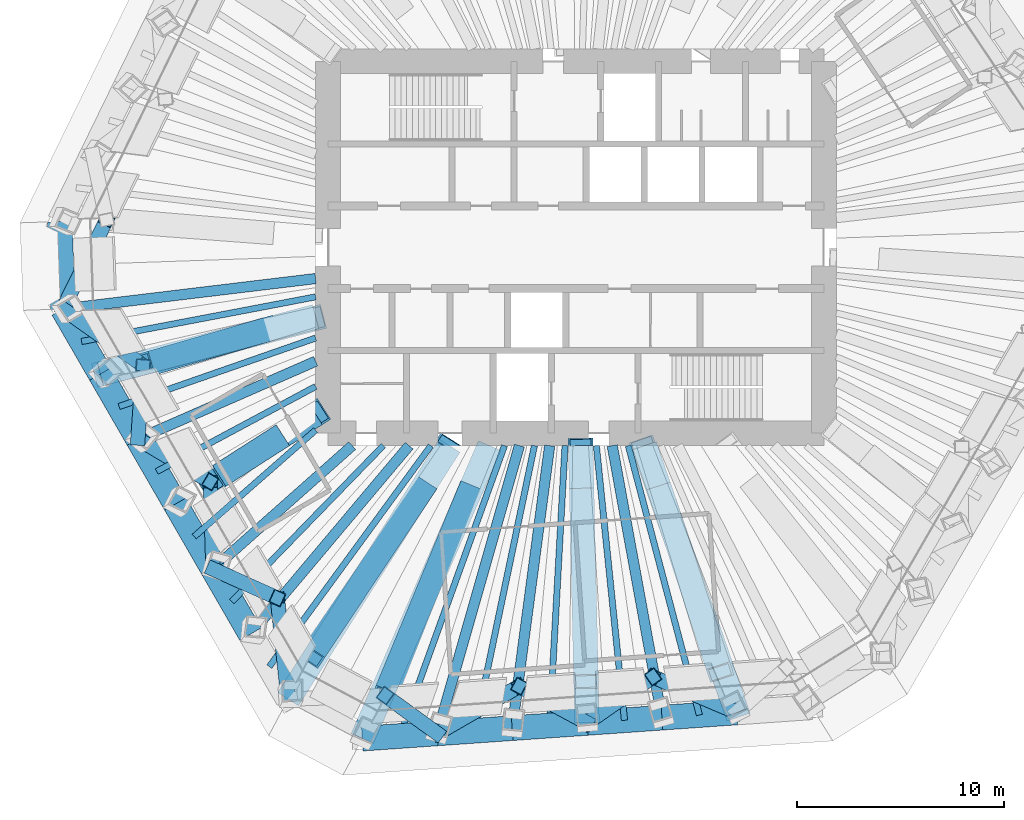
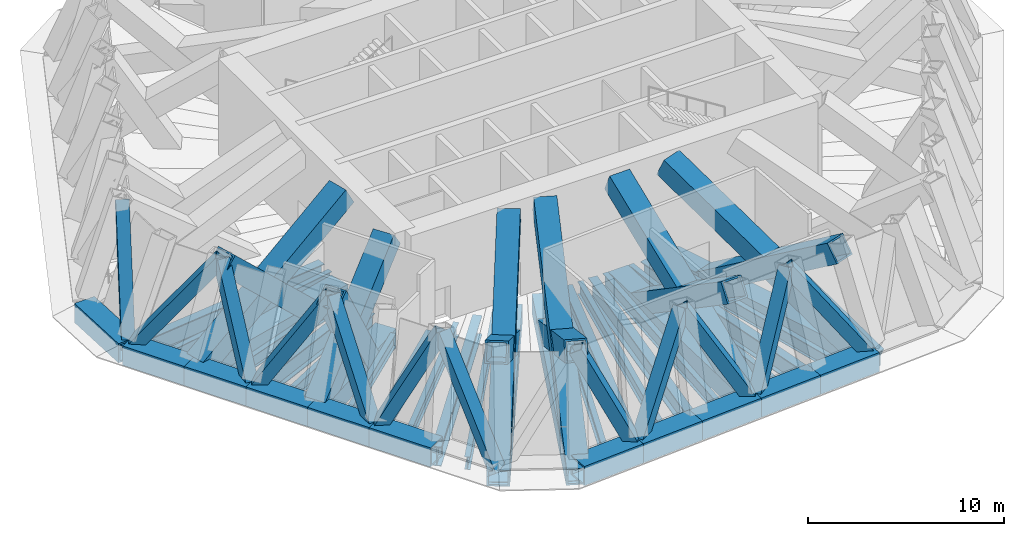
# One storey, part 2 of 12: 35 members, 24 beams.
"""IFC4 building model written with IfcOpenShell, lengths in metres."""

from ifc_helpers import new_model, si_unit, direction, frame, origin, origin_2d, place, context, subcontext, project, spatial, hollow_rectangle, i_section, extrude, material, material_profile, profile_set, type_object, element, save


model = new_model("IFC4")

# Units and contexts
model_context = context("Model", 3, precision=1e-05, world=origin(), true_north=direction((0.0, 1.0)))
body_context = subcontext(model_context, "Body", "Model", "MODEL_VIEW")
ifc_project = project(units=[si_unit("LENGTHUNIT", "METRE"), si_unit("AREAUNIT", "SQUARE_METRE"), si_unit("VOLUMEUNIT", "CUBIC_METRE"), si_unit("PLANEANGLEUNIT", "RADIAN"), si_unit("MASSUNIT", "GRAM", prefix="KILO")], contexts=[model_context])

# Site, building, storey
site_placement = place(None, origin())
site = spatial("IfcSite", under=ifc_project, at=site_placement, CompositionType="ELEMENT")
building_placement = place(site_placement, origin())
building = spatial("IfcBuilding", under=site, at=building_placement, Name="Qingtian Harvest Tower", CompositionType="ELEMENT")
storey_placement = place(building_placement, frame((0.0, 0.0, 256.0)))
storey = spatial("IfcBuildingStorey", under=building, at=storey_placement, Name="L56", CompositionType="ELEMENT", Elevation=256.0)

# Members
ifc_material_1 = material(Name="Steel SM570MC", Category="steel")
ifc_material_profile_1 = material_profile(ifc_material_1, hollow_rectangle(XDim=1.199951171875, YDim=1.199951171875, WallThickness=0.10009765625, at=origin_2d()), Name="BOX1200x1200x100")
ifc_profile_set_1 = profile_set([ifc_material_profile_1], Name="Steel SM570MC")
member_type_1 = type_object("IfcMemberType", Name="Belt truss chord BC3 BOX1200x1200x100", PredefinedType="CHORD", material=ifc_profile_set_1)
for number, where, z_axis, x_axis, name in (
    (1, (7.78515625, -22.51171875, -0.60009765625), (-0.997565001055, -0.069742875402, 0.0), (0.069742875402, -0.997565001055, 0.0), "Belt chord BC3 S1"),
    (2, (4.160400390625, -22.76513671875, -0.60009765625), (-0.997560324246, -0.069809737785, 0.0), (0.069809737785, -0.997560324246, 0.0), "Belt chord BC3 S2"),
    (3, (0.53564453125, -23.018798828125, -0.60009765625), (-0.997565001055, -0.069742875402, 0.0), (0.069742875402, -0.997565001055, 0.0), "Belt chord BC3 S3"),
):
    element("IfcMember", number, at=place(storey_placement, frame(where, z_axis=z_axis, x_axis=x_axis)), inside=storey, type_object=member_type_1, Name=name, PredefinedType="CHORD", context=body_context, shape_type="SweptSolid", body=[
        extrude(hollow_rectangle(XDim=1.199951171875, YDim=1.199951171875, WallThickness=0.10009765625, at=origin_2d()), origin(), (0.0, 0.0, 1.0), 3.633544921875),
    ])
member_1_placement = place(storey_placement, frame((-3.089111328125, -23.272216796875, -0.60009765625), z_axis=(-0.997564674207, -0.069747550305, 0.0), x_axis=(0.069747550305, -0.997564674207, 0.0)))
element("IfcMember", 4, at=member_1_placement, inside=storey, type_object=member_type_1, Name="Belt chord BC3 S4", PredefinedType="CHORD", context=body_context, shape_type="SweptSolid", body=[
    extrude(hollow_rectangle(XDim=1.199951171875, YDim=1.199951171875, WallThickness=0.10009765625, at=origin_2d()), origin(), (0.0, 0.0, 1.0), 3.63330078125),
])
for number, where, z_axis, x_axis, name in (
    (5, (-6.713623046875, -23.525634765625, -0.60009765625), (-0.997565001055, -0.069742875402, 0.0), (0.069742875402, -0.997565001055, 0.0), "Belt chord BC3 S5"),
    (6, (-15.749267578125, -18.72119140625, -0.60009765625), (-0.500026827678, 0.866009914263, 0.0), (-0.866009914263, -0.500026827678, 0.0), "Belt chord BC3 SW1"),
    (7, (-17.566162109375, -15.574462890625, -0.60009765625), (-0.499976434558, 0.866039008871, 0.0), (-0.866039008871, -0.499976434558, 0.0), "Belt chord BC3 SW2"),
    (8, (-19.3828125, -12.427734375, -0.60009765625), (-0.500026827678, 0.866009914263, 0.0), (-0.866009914263, -0.500026827678, 0.0), "Belt chord BC3 SW3"),
    (9, (-21.19970703125, -9.281005859375, -0.60009765625), (-0.499976434558, 0.866039008871, 0.0), (-0.866039008871, -0.499976434558, 0.0), "Belt chord BC3 SW4"),
    (10, (-23.016357421875, -6.13427734375, -0.60009765625), (-0.500026827678, 0.866009914263, 0.0), (-0.866009914263, -0.500026827678, 0.0), "Belt chord BC3 SW5"),
):
    element("IfcMember", number, at=place(storey_placement, frame(where, z_axis=z_axis, x_axis=x_axis)), inside=storey, type_object=member_type_1, Name=name, PredefinedType="CHORD", context=body_context, shape_type="SweptSolid", body=[
        extrude(hollow_rectangle(XDim=1.199951171875, YDim=1.199951171875, WallThickness=0.10009765625, at=origin_2d()), origin(), (0.0, 0.0, 1.0), 3.633544921875),
    ])
member_2_placement = place(storey_placement, frame((-24.833251953125, -2.987548828125, -0.60009765625), z_axis=(-0.034908677553, 0.999390506375, 0.0), x_axis=(-0.999390506375, -0.034908677553, 0.0)))
element("IfcMember", 11, at=member_2_placement, inside=storey, type_object=member_type_1, Name="Belt chord BC3 SWC", PredefinedType="CHORD", context=body_context, shape_type="SweptSolid", body=[
    extrude(hollow_rectangle(XDim=1.199951171875, YDim=1.199951171875, WallThickness=0.10009765625, at=origin_2d()), origin(), (0.0, 0.0, 1.0), 4.23828125),
])
ifc_material_2 = material(Name="Steel SM570MC", Category="steel")
ifc_material_profile_2 = material_profile(ifc_material_2, hollow_rectangle(XDim=0.699951171875, YDim=0.699951171875, WallThickness=0.0400390625, at=origin_2d()), Name="BOX700x700x40")
ifc_profile_set_2 = profile_set([ifc_material_profile_2], Name="Steel SM570MC")
member_type_2 = type_object("IfcMemberType", Name="Belt truss diagonal BD3 BOX700x700x40", PredefinedType="BRACE", material=ifc_profile_set_2)
member_3_placement = place(storey_placement, frame((7.78515625, -22.51171875, -0.60009765625), z_axis=(-0.544857222161, 0.231219130574, 0.806020050071), x_axis=(-0.390646608889, -0.920540725315, 0.0)))
element("IfcMember", 12, at=member_3_placement, inside=storey, type_object=member_type_2, Name="Belt truss diagonal BD3 L56 S1", PredefinedType="BRACE", context=body_context, shape_type="SweptSolid", body=[
    extrude(hollow_rectangle(XDim=0.699951171875, YDim=0.699951171875, WallThickness=0.0400390625, at=origin_2d()), origin(), (0.0, 0.0, 1.0), 7.444091796875),
])
member_4_placement = place(storey_placement, frame((3.729248046875, -20.79052734375, 5.39990234375), z_axis=(-0.446475354846, -0.31151904011, -0.838818004793), x_axis=(0.572211996382, -0.820105743911, 0.0)))
element("IfcMember", 13, at=member_4_placement, inside=storey, type_object=member_type_2, Name="Belt truss diagonal BD3 L56 S2", PredefinedType="BRACE", context=body_context, shape_type="SweptSolid", body=[
    extrude(hollow_rectangle(XDim=0.699951171875, YDim=0.699951171875, WallThickness=0.0400390625, at=origin_2d()), origin(), (0.0, 0.0, 1.0), 7.15283203125),
])
member_5_placement = place(storey_placement, frame((0.53564453125, -23.018798828125, -0.60009765625), z_axis=(-0.465016913661, 0.251161638629, 0.848927029426), x_axis=(-0.475225829761, -0.879863859201, 0.0)))
element("IfcMember", 14, at=member_5_placement, inside=storey, type_object=member_type_2, Name="Belt truss diagonal BD3 L56 S3", PredefinedType="BRACE", context=body_context, shape_type="SweptSolid", body=[
    extrude(hollow_rectangle(XDim=0.699951171875, YDim=0.699951171875, WallThickness=0.0400390625, at=origin_2d()), origin(), (0.0, 0.0, 1.0), 7.067626953125),
])
member_6_placement = place(storey_placement, frame((-2.7509765625, -21.24365234375, 5.39990234375), z_axis=(-0.525280157082, -0.302494832619, -0.795347491864), x_axis=(0.499039778633, -0.866579078528, 0.0)))
element("IfcMember", 15, at=member_6_placement, inside=storey, type_object=member_type_2, Name="Belt truss diagonal BD3 L56 S4", PredefinedType="BRACE", context=body_context, shape_type="SweptSolid", body=[
    extrude(hollow_rectangle(XDim=0.699951171875, YDim=0.699951171875, WallThickness=0.0400390625, at=origin_2d()), origin(), (0.0, 0.0, 1.0), 7.5439453125),
])
member_7_placement = place(storey_placement, frame((-6.713623046875, -23.525634765625, -0.60009765625), z_axis=(-0.372482636672, 0.270584506528, 0.887716570874), x_axis=(-0.587728428026, -0.809058276572, 0.0)))
element("IfcMember", 16, at=member_7_placement, inside=storey, type_object=member_type_2, Name="Belt truss diagonal BD3 L56 S5", PredefinedType="BRACE", context=body_context, shape_type="SweptSolid", body=[
    extrude(hollow_rectangle(XDim=0.699951171875, YDim=0.699951171875, WallThickness=0.0400390625, at=origin_2d()), origin(), (0.0, 0.0, 1.0), 6.759033203125),
])
member_8_placement = place(storey_placement, frame((-13.9326171875, -21.8681640625, -0.60009765625), z_axis=(-0.066596564414, 0.630764153551, 0.773111557412), x_axis=(-0.994472520265, -0.104997173478, 0.0)))
element("IfcMember", 17, at=member_8_placement, inside=storey, type_object=member_type_2, Name="Belt truss diagonal BD3 L56 SW0", PredefinedType="BRACE", context=body_context, shape_type="SweptSolid", body=[
    extrude(hollow_rectangle(XDim=0.699951171875, YDim=0.699951171875, WallThickness=0.0400390625, at=origin_2d()), origin(), (0.0, 0.0, 1.0), 7.7607421875),
])
member_9_placement = place(storey_placement, frame((-14.449462890625, -16.972900390625, 5.39990234375), z_axis=(-0.451413829982, 0.202545700935, -0.869022895632), x_axis=(-0.409371897957, -0.912367606375, 0.0)))
element("IfcMember", 18, at=member_9_placement, inside=storey, type_object=member_type_2, Name="Belt truss diagonal BD3 L56 SW1", PredefinedType="BRACE", context=body_context, shape_type="SweptSolid", body=[
    extrude(hollow_rectangle(XDim=0.699951171875, YDim=0.699951171875, WallThickness=0.0400390625, at=origin_2d()), origin(), (0.0, 0.0, 1.0), 6.904296875),
])
member_10_placement = place(storey_placement, frame((-17.566162109375, -15.574462890625, -0.60009765625), z_axis=(-0.017892837518, 0.575863348753, 0.817350139125), x_axis=(-0.999517635605, -0.031056337739, 0.0)))
element("IfcMember", 19, at=member_10_placement, inside=storey, type_object=member_type_2, Name="Belt truss diagonal BD3 L56 SW2", PredefinedType="BRACE", context=body_context, shape_type="SweptSolid", body=[
    extrude(hollow_rectangle(XDim=0.699951171875, YDim=0.699951171875, WallThickness=0.0400390625, at=origin_2d()), origin(), (0.0, 0.0, 1.0), 7.3408203125),
])
member_11_placement = place(storey_placement, frame((-17.697509765625, -11.34716796875, 5.39990234375), z_axis=(-0.483190813283, 0.285064053874, -0.827807419118), x_axis=(-0.508124366275, -0.861283709585, 0.0)))
element("IfcMember", 20, at=member_11_placement, inside=storey, type_object=member_type_2, Name="Belt truss diagonal BD3 L56 SW3", PredefinedType="BRACE", context=body_context, shape_type="SweptSolid", body=[
    extrude(hollow_rectangle(XDim=0.699951171875, YDim=0.699951171875, WallThickness=0.0400390625, at=origin_2d()), origin(), (0.0, 0.0, 1.0), 7.248046875),
])
member_12_placement = place(storey_placement, frame((-21.19970703125, -9.281005859375, -0.60009765625), z_axis=(0.036405726551, 0.50989000299, 0.859468910389), x_axis=(-0.997460783047, 0.071217878954, 0.0)))
element("IfcMember", 21, at=member_12_placement, inside=storey, type_object=member_type_2, Name="Belt truss diagonal BD3 L56 SW4", PredefinedType="BRACE", context=body_context, shape_type="SweptSolid", body=[
    extrude(hollow_rectangle(XDim=0.699951171875, YDim=0.699951171875, WallThickness=0.0400390625, at=origin_2d()), origin(), (0.0, 0.0, 1.0), 6.98095703125),
])
member_13_placement = place(storey_placement, frame((-20.945556640625, -5.721435546875, 5.39990234375), z_axis=(-0.507909961046, 0.357170041685, -0.783873097378), x_axis=(-0.57522616421, -0.817994413189, 0.0)))
element("IfcMember", 22, at=member_13_placement, inside=storey, type_object=member_type_2, Name="Belt truss diagonal BD3 L56 SW5", PredefinedType="BRACE", context=body_context, shape_type="SweptSolid", body=[
    extrude(hollow_rectangle(XDim=0.699951171875, YDim=0.699951171875, WallThickness=0.0400390625, at=origin_2d()), origin(), (0.0, 0.0, 1.0), 7.654296875),
])
member_14_placement = place(storey_placement, frame((-24.833251953125, -2.987548828125, -0.60009765625), z_axis=(0.275256396047, 0.561279137804, 0.780512425206), x_axis=(-0.897845118846, 0.440311415438, 0.0)))
element("IfcMember", 23, at=member_14_placement, inside=storey, type_object=member_type_2, Name="Belt truss diagonal BD3 L56 SW6", PredefinedType="BRACE", context=body_context, shape_type="SweptSolid", body=[
    extrude(hollow_rectangle(XDim=0.699951171875, YDim=0.699951171875, WallThickness=0.0400390625, at=origin_2d()), origin(), (0.0, 0.0, 1.0), 7.687255859375),
])

# Beams
ifc_material_3 = material(Name="Steel SN490B", Category="steel")
ifc_material_profile_3 = material_profile(ifc_material_3, i_section(OverallWidth=0.300048828125, OverallDepth=0.800048828125, WebThickness=0.013916015625, FlangeThickness=0.02587890625, at=origin_2d()), Name="H800x300x14x26")
ifc_profile_set_3 = profile_set([ifc_material_profile_3], Name="Steel SN490B")
beam_type_1 = type_object("IfcBeamType", Name="Floor joist J1 H800x300x14x26", PredefinedType="JOIST", material=ifc_profile_set_3)
beam_1_placement = place(storey_placement, frame((5.97265625, -22.638427734375, -0.679931640625), z_axis=(-0.255103716232, 0.9669136952, 0.0), x_axis=(-0.9669136952, -0.255103716232, 0.0)))
element("IfcBeam", 24, at=beam_1_placement, inside=storey, type_object=beam_type_1, Name="Floor joist J1 S1", PredefinedType="JOIST", context=body_context, shape_type="SweptSolid", body=[
    extrude(i_section(OverallWidth=0.300048828125, OverallDepth=0.800048828125, WebThickness=0.013916015625, FlangeThickness=0.02587890625, at=origin_2d()), origin(), (0.0, 0.0, 1.0), 13.484375),
])
beam_2_placement = place(storey_placement, frame((2.347900390625, -22.89208984375, -0.679931640625), z_axis=(-0.102028865499, 0.994781438611, 0.0), x_axis=(-0.994781438611, -0.102028865499, 0.0)))
element("IfcBeam", 25, at=beam_2_placement, inside=storey, type_object=beam_type_1, Name="Floor joist J1 S2", PredefinedType="JOIST", context=body_context, shape_type="SweptSolid", body=[
    extrude(i_section(OverallWidth=0.300048828125, OverallDepth=0.800048828125, WebThickness=0.013916015625, FlangeThickness=0.02587890625, at=origin_2d()), origin(), (0.0, 0.0, 1.0), 13.36181640625),
])
beam_3_placement = place(storey_placement, frame((-1.276611328125, -23.1455078125, -0.679931640625), z_axis=(0.055069329716, 0.998482533109, 0.0), x_axis=(-0.998482533109, 0.055069329716, 0.0)))
element("IfcBeam", 26, at=beam_3_placement, inside=storey, type_object=beam_type_1, Name="Floor joist J1 S3", PredefinedType="JOIST", context=body_context, shape_type="SweptSolid", body=[
    extrude(i_section(OverallWidth=0.300048828125, OverallDepth=0.800048828125, WebThickness=0.013916015625, FlangeThickness=0.02587890625, at=origin_2d()), origin(), (0.0, 0.0, 1.0), 13.56591796875),
])
beam_4_placement = place(storey_placement, frame((-4.9013671875, -23.39892578125, -0.679931640625), z_axis=(0.205016322093, 0.978758554331, 0.0), x_axis=(-0.978758554331, 0.205016322093, 0.0)))
element("IfcBeam", 27, at=beam_4_placement, inside=storey, type_object=beam_type_1, Name="Floor joist J1 S4", PredefinedType="JOIST", context=body_context, shape_type="SweptSolid", body=[
    extrude(i_section(OverallWidth=0.300048828125, OverallDepth=0.800048828125, WebThickness=0.013916015625, FlangeThickness=0.02587890625, at=origin_2d()), origin(), (0.0, 0.0, 1.0), 14.098388671875),
])
beam_5_placement = place(storey_placement, frame((-8.526123046875, -23.65234375, -0.679931640625), z_axis=(0.339126305921, 0.940740850943, 0.0), x_axis=(-0.940740850943, 0.339126305921, 0.0)))
element("IfcBeam", 28, at=beam_5_placement, inside=storey, type_object=beam_type_1, Name="Floor joist J1 S5", PredefinedType="JOIST", context=body_context, shape_type="SweptSolid", body=[
    extrude(i_section(OverallWidth=0.300048828125, OverallDepth=0.800048828125, WebThickness=0.013916015625, FlangeThickness=0.02587890625, at=origin_2d()), origin(), (0.0, 0.0, 1.0), 14.9375),
])
beam_6_placement = place(storey_placement, frame((-14.841064453125, -20.294677734375, -0.679931640625), z_axis=(0.590288677526, 0.807192218238, 0.0), x_axis=(-0.807192218238, 0.590288677526, 0.0)))
element("IfcBeam", 29, at=beam_6_placement, inside=storey, type_object=beam_type_1, Name="Floor joist J1 SW0", PredefinedType="JOIST", context=body_context, shape_type="SweptSolid", body=[
    extrude(i_section(OverallWidth=0.300048828125, OverallDepth=0.800048828125, WebThickness=0.013916015625, FlangeThickness=0.02587890625, at=origin_2d()), origin(), (0.0, 0.0, 1.0), 13.2490234375),
])
beam_7_placement = place(storey_placement, frame((-16.65771484375, -17.14794921875, -0.679931640625), z_axis=(0.696777499009, 0.717287332158, 0.0), x_axis=(-0.717287332158, 0.696777499009, 0.0)))
element("IfcBeam", 30, at=beam_7_placement, inside=storey, type_object=beam_type_1, Name="Floor joist J1 SW1", PredefinedType="JOIST", context=body_context, shape_type="SweptSolid", body=[
    extrude(i_section(OverallWidth=0.300048828125, OverallDepth=0.800048828125, WebThickness=0.013916015625, FlangeThickness=0.02587890625, at=origin_2d()), origin(), (0.0, 0.0, 1.0), 10.522705078125),
])
beam_8_placement = place(storey_placement, frame((-18.474609375, -14.001220703125, -0.679931640625), z_axis=(0.751883296969, 0.659296221542, 0.0), x_axis=(-0.659296221542, 0.751883296969, 0.0)))
element("IfcBeam", 31, at=beam_8_placement, inside=storey, type_object=beam_type_1, Name="Floor joist J1 SW2", PredefinedType="JOIST", context=body_context, shape_type="SweptSolid", body=[
    extrude(i_section(OverallWidth=0.300048828125, OverallDepth=0.800048828125, WebThickness=0.013916015625, FlangeThickness=0.02587890625, at=origin_2d()), origin(), (0.0, 0.0, 1.0), 7.81298828125),
])
beam_9_placement = place(storey_placement, frame((-20.291259765625, -10.8544921875, -0.679931640625), z_axis=(0.881766503154, 0.471686160402, 0.0), x_axis=(-0.471686160402, 0.881766503154, 0.0)))
element("IfcBeam", 32, at=beam_9_placement, inside=storey, type_object=beam_type_1, Name="Floor joist J1 SW3", PredefinedType="JOIST", context=body_context, shape_type="SweptSolid", body=[
    extrude(i_section(OverallWidth=0.300048828125, OverallDepth=0.800048828125, WebThickness=0.013916015625, FlangeThickness=0.02587890625, at=origin_2d()), origin(), (0.0, 0.0, 1.0), 8.722412109375),
])
beam_10_placement = place(storey_placement, frame((-22.108154296875, -7.707763671875, -0.679931640625), z_axis=(0.944256456951, 0.329210788868, 0.0), x_axis=(-0.329210788868, 0.944256456951, 0.0)))
element("IfcBeam", 33, at=beam_10_placement, inside=storey, type_object=beam_type_1, Name="Floor joist J1 SW4", PredefinedType="JOIST", context=body_context, shape_type="SweptSolid", body=[
    extrude(i_section(OverallWidth=0.300048828125, OverallDepth=0.800048828125, WebThickness=0.013916015625, FlangeThickness=0.02587890625, at=origin_2d()), origin(), (0.0, 0.0, 1.0), 10.0693359375),
])
beam_11_placement = place(storey_placement, frame((-23.9248046875, -4.56103515625, -0.679931640625), z_axis=(0.982309082743, 0.187266830912, 0.0), x_axis=(-0.187266830912, 0.982309082743, 0.0)))
element("IfcBeam", 34, at=beam_11_placement, inside=storey, type_object=beam_type_1, Name="Floor joist J1 SW5", PredefinedType="JOIST", context=body_context, shape_type="SweptSolid", body=[
    extrude(i_section(OverallWidth=0.300048828125, OverallDepth=0.800048828125, WebThickness=0.013916015625, FlangeThickness=0.02587890625, at=origin_2d()), origin(), (0.0, 0.0, 1.0), 11.528564453125),
])
ifc_material_4 = material(Name="Steel SM570MC", Category="steel")
ifc_material_profile_4 = material_profile(ifc_material_4, hollow_rectangle(XDim=1.199951171875, YDim=1.199951171875, WallThickness=0.10009765625, at=origin_2d()), Name="BOX1200x1200x100")
ifc_profile_set_4 = profile_set([ifc_material_profile_4], Name="Steel SM570MC")
beam_type_2 = type_object("IfcBeamType", Name="Outrigger chord beam OC2 BOX1200x1200x100", PredefinedType="BEAM", material=ifc_profile_set_4)
beam_12_placement = place(storey_placement, frame((7.78515625, -22.51171875, -0.8798828125), z_axis=(-0.326844175409, 0.945078242793, 0.0), x_axis=(-0.945078242793, -0.326844175409, 0.0)))
element("IfcBeam", 35, at=beam_12_placement, inside=storey, type_object=beam_type_2, Name="Floor beam OC2 S1", PredefinedType="BEAM", context=body_context, shape_type="SweptSolid", body=[
    extrude(hollow_rectangle(XDim=1.199951171875, YDim=1.199951171875, WallThickness=0.10009765625, at=origin_2d()), origin(), (0.0, 0.0, 1.0), 13.661865234375),
])
beam_13_placement = place(storey_placement, frame((0.53564453125, -23.018798828125, -0.8798828125), z_axis=(-0.023263902078, 0.999729358807, 0.0), x_axis=(-0.999729358807, -0.023263902078, 0.0)))
element("IfcBeam", 36, at=beam_13_placement, inside=storey, type_object=beam_type_2, Name="Floor beam OC2 S3", PredefinedType="BEAM", context=body_context, shape_type="SweptSolid", body=[
    extrude(hollow_rectangle(XDim=1.199951171875, YDim=1.199951171875, WallThickness=0.10009765625, at=origin_2d()), origin(), (0.0, 0.0, 1.0), 13.42236328125),
])
beam_14_placement = place(storey_placement, frame((-10.33837890625, -23.779052734375, -0.8798828125), z_axis=(0.398714563353, 0.917075077063, 0.0), x_axis=(-0.917075077063, 0.398714563353, 0.0)))
element("IfcBeam", 37, at=beam_14_placement, inside=storey, type_object=beam_type_2, Name="Floor beam OC2 S6", PredefinedType="BEAM", context=body_context, shape_type="SweptSolid", body=[
    extrude(hollow_rectangle(XDim=1.199951171875, YDim=1.199951171875, WallThickness=0.10009765625, at=origin_2d()), origin(), (0.0, 0.0, 1.0), 15.461181640625),
])
beam_15_placement = place(storey_placement, frame((-13.9326171875, -21.8681640625, -0.8798828125), z_axis=(0.537326103898, 0.8433745657, 0.0), x_axis=(-0.8433745657, 0.537326103898, 0.0)))
element("IfcBeam", 38, at=beam_15_placement, inside=storey, type_object=beam_type_2, Name="Floor beam OC2 SW0", PredefinedType="BEAM", context=body_context, shape_type="SweptSolid", body=[
    extrude(hollow_rectangle(XDim=1.199951171875, YDim=1.199951171875, WallThickness=0.10009765625, at=origin_2d()), origin(), (0.0, 0.0, 1.0), 14.54638671875),
])
beam_16_placement = place(storey_placement, frame((-19.3828125, -12.427734375, -0.8798828125), z_axis=(0.841823714388, 0.539752567288, 0.0), x_axis=(-0.539752567288, 0.841823714388, 0.0)))
element("IfcBeam", 39, at=beam_16_placement, inside=storey, type_object=beam_type_2, Name="Floor beam OC2 SW3", PredefinedType="BEAM", context=body_context, shape_type="SweptSolid", body=[
    extrude(hollow_rectangle(XDim=1.199951171875, YDim=1.199951171875, WallThickness=0.10009765625, at=origin_2d()), origin(), (0.0, 0.0, 1.0), 8.05712890625),
])
beam_17_placement = place(storey_placement, frame((-23.016357421875, -6.13427734375, -0.8798828125), z_axis=(0.966270640629, 0.257528734433, 0.0), x_axis=(-0.257528734433, 0.966270640629, 0.0)))
element("IfcBeam", 40, at=beam_17_placement, inside=storey, type_object=beam_type_2, Name="Floor beam OC2 SW5", PredefinedType="BEAM", context=body_context, shape_type="SweptSolid", body=[
    extrude(hollow_rectangle(XDim=1.199951171875, YDim=1.199951171875, WallThickness=0.10009765625, at=origin_2d()), origin(), (0.0, 0.0, 1.0), 10.77978515625),
])

# Members
ifc_material_5 = material(Name="Steel SM570MC", Category="steel")
ifc_material_profile_5 = material_profile(ifc_material_5, hollow_rectangle(XDim=1.199951171875, YDim=1.199951171875, WallThickness=0.10009765625, at=origin_2d()), Name="BOX1200x1200x100")
ifc_profile_set_5 = profile_set([ifc_material_profile_5], Name="Steel SM570MC")
member_type_3 = type_object("IfcMemberType", Name="Outrigger diagonal OT3 BOX1200x1200x100", PredefinedType="BRACE", material=ifc_profile_set_5)
member_15_placement = place(storey_placement, frame((7.78515625, -22.51171875, -0.8798828125), z_axis=(-0.302699409566, 0.862709504398, 0.405099220524), x_axis=(-0.943601922915, -0.331082181749, 0.0)))
element("IfcMember", 41, at=member_15_placement, inside=storey, type_object=member_type_3, Name="Outrigger diagonal OT3 L56 S1-1", PredefinedType="BRACE", context=body_context, shape_type="SweptSolid", body=[
    extrude(hollow_rectangle(XDim=1.199951171875, YDim=1.199951171875, WallThickness=0.10009765625, at=origin_2d()), origin(), (0.0, 0.0, 1.0), 15.082275390625),
])
member_16_placement = place(storey_placement, frame((4.104248046875, -11.8681640625, -0.8798828125), z_axis=(0.260286407921, -0.790019708337, 0.555085440531), x_axis=(0.94977883833, 0.312921968325, 0.0)))
element("IfcMember", 42, at=member_16_placement, inside=storey, type_object=member_type_3, Name="Outrigger diagonal OT3 L56 S1-2", PredefinedType="BRACE", context=body_context, shape_type="SweptSolid", body=[
    extrude(hollow_rectangle(XDim=1.199951171875, YDim=1.199951171875, WallThickness=0.10009765625, at=origin_2d()), origin(), (0.0, 0.0, 1.0), 11.007080078125),
])
member_17_placement = place(storey_placement, frame((-10.33837890625, -23.779052734375, -0.8798828125), z_axis=(0.375700356343, 0.852019648756, 0.364570652107), x_axis=(-0.914993401955, 0.403468802237, 0.0)))
element("IfcMember", 43, at=member_17_placement, inside=storey, type_object=member_type_3, Name="Outrigger diagonal OT3 L56 S6-1", PredefinedType="BRACE", context=body_context, shape_type="SweptSolid", body=[
    extrude(hollow_rectangle(XDim=1.199951171875, YDim=1.199951171875, WallThickness=0.10009765625, at=origin_2d()), origin(), (0.0, 0.0, 1.0), 16.759033203125),
])
member_18_placement = place(storey_placement, frame((-5.130615234375, -11.801025390625, -0.8798828125), z_axis=(-0.332523632159, -0.80246370459, 0.495459420005), x_axis=(0.9238256813, -0.382813414825, 0.0)))
element("IfcMember", 44, at=member_18_placement, inside=storey, type_object=member_type_3, Name="Outrigger diagonal OT3 L56 S6-2", PredefinedType="BRACE", context=body_context, shape_type="SweptSolid", body=[
    extrude(hollow_rectangle(XDim=1.199951171875, YDim=1.199951171875, WallThickness=0.10009765625, at=origin_2d()), origin(), (0.0, 0.0, 1.0), 12.331787109375),
])
member_19_placement = place(storey_placement, frame((-23.016357421875, -6.13427734375, -0.8798828125), z_axis=(0.843820530893, 0.218227758889, 0.490248464449), x_axis=(-0.250381005864, 0.968147381292, 0.0)))
element("IfcMember", 45, at=member_19_placement, inside=storey, type_object=member_type_3, Name="Outrigger diagonal OT3 L56 SW5-1", PredefinedType="BRACE", context=body_context, shape_type="SweptSolid", body=[
    extrude(hollow_rectangle(XDim=1.199951171875, YDim=1.199951171875, WallThickness=0.10009765625, at=origin_2d()), origin(), (0.0, 0.0, 1.0), 12.462890625),
])
member_20_placement = place(storey_placement, frame((-14.9189453125, -3.976318359375, -0.8798828125), z_axis=(-0.688156297451, -0.199268430795, 0.697662527851), x_axis=(0.278142164933, -0.960539919049, 0.0)))
element("IfcMember", 46, at=member_20_placement, inside=storey, type_object=member_type_3, Name="Outrigger diagonal OT3 L56 SW5-2", PredefinedType="BRACE", context=body_context, shape_type="SweptSolid", body=[
    extrude(hollow_rectangle(XDim=1.199951171875, YDim=1.199951171875, WallThickness=0.10009765625, at=origin_2d()), origin(), (0.0, 0.0, 1.0), 8.757568359375),
])
member_21_placement = place(storey_placement, frame((0.53564453125, -23.018798828125, -0.8798828125), z_axis=(-0.021191409765, 0.911049637374, 0.411751724214), x_axis=(-0.999729585835, -0.023254143835, 0.0)))
element("IfcMember", 47, at=member_21_placement, inside=storey, type_object=member_type_3, Name="Outrigger diagonal OT3 L56 S3-1", PredefinedType="BRACE", context=body_context, shape_type="SweptSolid", body=[
    extrude(hollow_rectangle(XDim=1.199951171875, YDim=1.199951171875, WallThickness=0.10009765625, at=origin_2d()), origin(), (0.0, 0.0, 1.0), 14.838623046875),
])
member_22_placement = place(storey_placement, frame((0.279296875, -11.999267578125, -0.8798828125), z_axis=(0.01924934853, -0.827721986784, 0.560808144713), x_axis=(0.999729693197, 0.023249527749, 0.0)))
element("IfcMember", 48, at=member_22_placement, inside=storey, type_object=member_type_3, Name="Outrigger diagonal OT3 L56 S3-2", PredefinedType="BRACE", context=body_context, shape_type="SweptSolid", body=[
    extrude(hollow_rectangle(XDim=1.199951171875, YDim=1.199951171875, WallThickness=0.10009765625, at=origin_2d()), origin(), (0.0, 0.0, 1.0), 10.894775390625),
])
member_23_placement = place(storey_placement, frame((-19.3828125, -12.427734375, -0.8798828125), z_axis=(0.674335663178, 0.43236703489, 0.598606849699), x_axis=(-0.539755108254, 0.84182208519, 0.0)))
element("IfcMember", 49, at=member_23_placement, inside=storey, type_object=member_type_3, Name="Outrigger diagonal OT3 L56 SW3-1", PredefinedType="BRACE", context=body_context, shape_type="SweptSolid", body=[
    extrude(hollow_rectangle(XDim=1.199951171875, YDim=1.199951171875, WallThickness=0.10009765625, at=origin_2d()), origin(), (0.0, 0.0, 1.0), 10.206787109375),
])
member_24_placement = place(storey_placement, frame((-14.620361328125, -9.374267578125, -0.8798828125), z_axis=(-0.432195672056, -0.277100382885, 0.858150498958), x_axis=(0.539737727863, -0.841833228806, 0.0)))
element("IfcMember", 50, at=member_24_placement, inside=storey, type_object=member_type_3, Name="Outrigger diagonal OT3 L56 SW3-2", PredefinedType="BRACE", context=body_context, shape_type="SweptSolid", body=[
    extrude(hollow_rectangle(XDim=1.199951171875, YDim=1.199951171875, WallThickness=0.10009765625, at=origin_2d()), origin(), (0.0, 0.0, 1.0), 7.119873046875),
])
member_25_placement = place(storey_placement, frame((-13.9326171875, -21.8681640625, -0.8798828125), z_axis=(0.490979365534, 0.781064991614, 0.385845489146), x_axis=(-0.846624716705, 0.532190369196, 0.0)))
element("IfcMember", 51, at=member_25_placement, inside=storey, type_object=member_type_3, Name="Outrigger diagonal OT3 L56 SW0-1", PredefinedType="BRACE", context=body_context, shape_type="SweptSolid", body=[
    extrude(hollow_rectangle(XDim=1.199951171875, YDim=1.199951171875, WallThickness=0.10009765625, at=origin_2d()), origin(), (0.0, 0.0, 1.0), 15.8349609375),
])
member_26_placement = place(storey_placement, frame((-7.406005859375, -11.6240234375, -0.8798828125), z_axis=(-0.469372950094, -0.706871687614, 0.529170531086), x_axis=(0.833068682807, -0.553169566884, 0.0)))
element("IfcMember", 52, at=member_26_placement, inside=storey, type_object=member_type_3, Name="Outrigger diagonal OT3 L56 SW0-2", PredefinedType="BRACE", context=body_context, shape_type="SweptSolid", body=[
    extrude(hollow_rectangle(XDim=1.199951171875, YDim=1.199951171875, WallThickness=0.10009765625, at=origin_2d()), origin(), (0.0, 0.0, 1.0), 11.546142578125),
])

# Beams
ifc_material_6 = material(Name="Steel SM570MC", Category="steel")
ifc_material_profile_6 = material_profile(ifc_material_6, i_section(OverallWidth=0.5, OverallDepth=1.199951171875, WebThickness=0.02490234375, FlangeThickness=0.050048828125, at=origin_2d()), Name="H1200x500x25x50")
ifc_profile_set_6 = profile_set([ifc_material_profile_6], Name="Steel SM570MC")
beam_type_3 = type_object("IfcBeamType", Name="Plant corner beam FB10 H1200x500x25x50", PredefinedType="BEAM", material=ifc_profile_set_6)
beam_18_placement = place(storey_placement, frame((-24.833251953125, -2.987548828125, -0.8798828125), z_axis=(0.992841259631, 0.119441337798, 0.0), x_axis=(-0.119441337798, 0.992841259631, 0.0)))
element("IfcBeam", 53, at=beam_18_placement, inside=storey, type_object=beam_type_3, Name="Floor beam FB10 SW6", PredefinedType="BEAM", context=body_context, shape_type="SweptSolid", body=[
    extrude(i_section(OverallWidth=0.5, OverallDepth=1.199951171875, WebThickness=0.02490234375, FlangeThickness=0.050048828125, at=origin_2d()), origin(), (0.0, 0.0, 1.0), 12.3212890625),
])
ifc_material_7 = material(Name="Steel SM570MC", Category="steel")
ifc_material_profile_7 = material_profile(ifc_material_7, i_section(OverallWidth=0.5, OverallDepth=1.199951171875, WebThickness=0.02490234375, FlangeThickness=0.050048828125, at=origin_2d()), Name="H1200x500x25x50")
ifc_profile_set_7 = profile_set([ifc_material_profile_7], Name="Steel SM570MC")
beam_type_4 = type_object("IfcBeamType", Name="Plant floor beam FB7 H1200x500x25x50", PredefinedType="BEAM", material=ifc_profile_set_7)
beam_19_placement = place(storey_placement, frame((4.160400390625, -22.76513671875, -0.8798828125), z_axis=(-0.179779537209, 0.983706926885, 0.0), x_axis=(-0.983706926885, -0.179779537209, 0.0)))
element("IfcBeam", 54, at=beam_19_placement, inside=storey, type_object=beam_type_4, Name="Floor beam FB7 S2", PredefinedType="BEAM", context=body_context, shape_type="SweptSolid", body=[
    extrude(i_section(OverallWidth=0.5, OverallDepth=1.199951171875, WebThickness=0.02490234375, FlangeThickness=0.050048828125, at=origin_2d()), origin(), (0.0, 0.0, 1.0), 13.383056640625),
])
beam_20_placement = place(storey_placement, frame((-3.089111328125, -23.272216796875, -0.8798828125), z_axis=(0.131593229442, 0.991303799027, 0.0), x_axis=(-0.991303799027, 0.131593229442, 0.0)))
element("IfcBeam", 55, at=beam_20_placement, inside=storey, type_object=beam_type_4, Name="Floor beam FB7 S4", PredefinedType="BEAM", context=body_context, shape_type="SweptSolid", body=[
    extrude(i_section(OverallWidth=0.5, OverallDepth=1.199951171875, WebThickness=0.02490234375, FlangeThickness=0.050048828125, at=origin_2d()), origin(), (0.0, 0.0, 1.0), 13.7919921875),
])
beam_21_placement = place(storey_placement, frame((-6.713623046875, -23.525634765625, -0.8798828125), z_axis=(0.274411610503, 0.961612327303, 0.0), x_axis=(-0.961612327303, 0.274411610503, 0.0)))
element("IfcBeam", 56, at=beam_21_placement, inside=storey, type_object=beam_type_4, Name="Floor beam FB7 S5", PredefinedType="BEAM", context=body_context, shape_type="SweptSolid", body=[
    extrude(i_section(OverallWidth=0.5, OverallDepth=1.199951171875, WebThickness=0.02490234375, FlangeThickness=0.050048828125, at=origin_2d()), origin(), (0.0, 0.0, 1.0), 14.4814453125),
])
beam_22_placement = place(storey_placement, frame((-15.749267578125, -18.72119140625, -0.8798828125), z_axis=(0.643763532906, 0.765224485821, 0.0), x_axis=(-0.765224485821, 0.643763532906, 0.0)))
element("IfcBeam", 57, at=beam_22_placement, inside=storey, type_object=beam_type_4, Name="Floor beam FB7 SW1", PredefinedType="BEAM", context=body_context, shape_type="SweptSolid", body=[
    extrude(i_section(OverallWidth=0.5, OverallDepth=1.199951171875, WebThickness=0.02490234375, FlangeThickness=0.050048828125, at=origin_2d()), origin(), (0.0, 0.0, 1.0), 11.91943359375),
])
beam_23_placement = place(storey_placement, frame((-17.566162109375, -15.574462890625, -0.8798828125), z_axis=(0.748259768664, 0.663405847577, 0.0), x_axis=(-0.663405847577, 0.748259768664, 0.0)))
element("IfcBeam", 58, at=beam_23_placement, inside=storey, type_object=beam_type_4, Name="Floor beam FB7 SW2", PredefinedType="BEAM", context=body_context, shape_type="SweptSolid", body=[
    extrude(i_section(OverallWidth=0.5, OverallDepth=1.199951171875, WebThickness=0.02490234375, FlangeThickness=0.050048828125, at=origin_2d()), origin(), (0.0, 0.0, 1.0), 9.005615234375),
])
beam_24_placement = place(storey_placement, frame((-21.19970703125, -9.281005859375, -0.8798828125), z_axis=(0.916057031544, 0.401048020765, 0.0), x_axis=(-0.401048020765, 0.916057031544, 0.0)))
element("IfcBeam", 59, at=beam_24_placement, inside=storey, type_object=beam_type_4, Name="Floor beam FB7 SW4", PredefinedType="BEAM", context=body_context, shape_type="SweptSolid", body=[
    extrude(i_section(OverallWidth=0.5, OverallDepth=1.199951171875, WebThickness=0.02490234375, FlangeThickness=0.050048828125, at=origin_2d()), origin(), (0.0, 0.0, 1.0), 9.3876953125),
])

save(model, "model.ifc")
